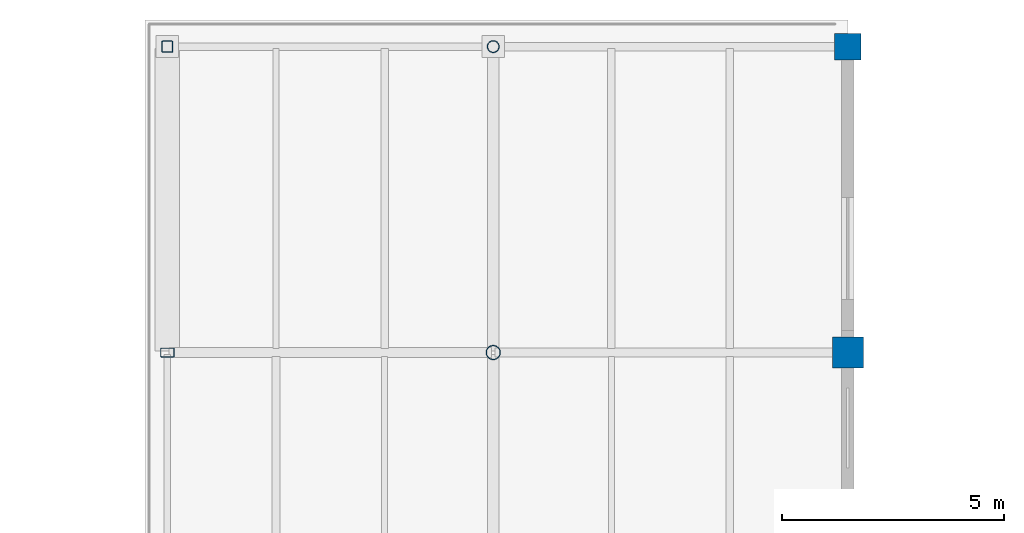
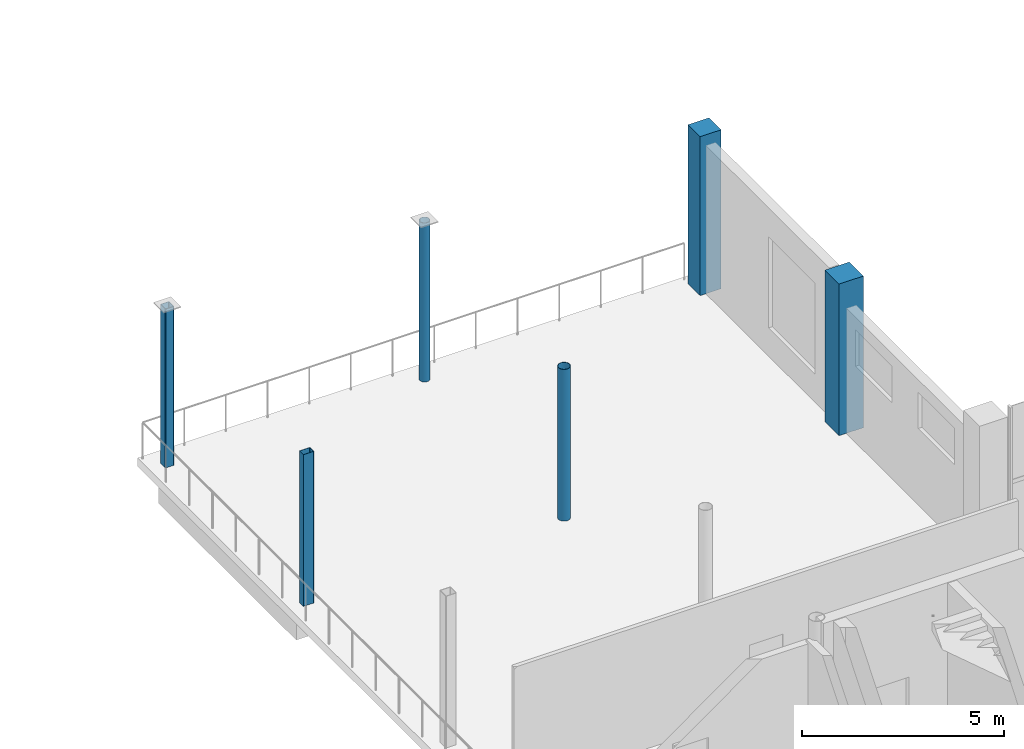
# One storey, part 11 of 51: 6 columns.
"""IFC4 building model written with IfcOpenShell, lengths in metres."""

import ifcopenshell
import ifcopenshell.guid

model = None  # the IFC model being written
_history = None  # IfcOwnerHistory: only IFC2X3 demands one
_inside = {}  # id of a spatial element -> (the spatial element, [elements in it])
_under = {}  # id of a project, library or spatial element -> (it, [spatial elements below it])
_declared = {}  # id of a project -> (the project, [libraries it declares])
_typed = {}  # id of a type object -> (the type object, [elements of that type])
_made_of = {}  # id of a material, layer set ... -> (it, [elements and type objects made of it])


def new_model(schema):
    """Start an empty IFC model of exactly this schema.

    Asked for "IFC4X3", IfcOpenShell would pick the latest addendum, in which some entities
    have other attributes; the version numbers below select the first issue.
    IFC2X3 requires an IfcOwnerHistory on every rooted entity: one is made here for all.
    """
    global model, _history
    if schema == "IFC4X3":
        model = ifcopenshell.file(schema_version=(4, 3, 0, 0))
    else:
        model = ifcopenshell.file(schema=schema)
    _inside.clear()
    _under.clear()
    _declared.clear()
    _typed.clear()
    _made_of.clear()
    _history = None
    if model.schema == "IFC2X3":
        org = make("IfcOrganization", Name="unknown")
        user = make(
            "IfcPersonAndOrganization",
            ThePerson=make("IfcPerson", FamilyName="unknown"),
            TheOrganization=org,
        )
        app = make(
            "IfcApplication",
            ApplicationDeveloper=org,
            Version="unknown",
            ApplicationFullName="unknown",
            ApplicationIdentifier="unknown",
        )
        _history = make(
            "IfcOwnerHistory",
            OwningUser=user,
            OwningApplication=app,
            ChangeAction="ADDED",
            CreationDate=0,
        )
    return model


def make(cls, **values):
    """One entity of the class cls with the attributes given. An attribute that is None is left unset."""
    return model.create_entity(
        cls, **{name: value for name, value in values.items() if value is not None}
    )


def rooted(cls, **values):
    """An entity with a GlobalId (a new one), such as an element, a storey or a relation."""
    return make(cls, GlobalId=ifcopenshell.guid.new(), OwnerHistory=_history, **values)


def si_unit(unit_type, name, prefix=None):
    """IfcSIUnit, for example si_unit("LENGTHUNIT", "METRE", prefix="MILLI")."""
    return make("IfcSIUnit", UnitType=unit_type, Prefix=prefix, Name=name)


def assignment(units):
    """IfcUnitAssignment: the units of a project."""
    return None if units is None else make("IfcUnitAssignment", Units=units)


def point(xyz):
    """IfcCartesianPoint."""
    return None if xyz is None else make("IfcCartesianPoint", Coordinates=xyz)


def direction(xyz):
    """IfcDirection."""
    return None if xyz is None else make("IfcDirection", DirectionRatios=xyz)


def frame(location, z_axis=None, x_axis=None):
    """IfcAxis2Placement3D, a coordinate frame: its origin and axes. An axis left out is left unset."""
    return make(
        "IfcAxis2Placement3D",
        Location=point(location),
        Axis=direction(z_axis),
        RefDirection=direction(x_axis),
    )


def frame_2d(location, x_axis=None):
    """IfcAxis2Placement2D, a coordinate frame in the plane: its origin and x axis."""
    return make(
        "IfcAxis2Placement2D", Location=point(location), RefDirection=direction(x_axis)
    )


def origin():
    """The frame at (0, 0, 0) with its axes left unset."""
    return frame((0.0, 0.0, 0.0))


def origin_2d():
    """The frame at (0, 0) in the plane with its x axis left unset."""
    return frame_2d((0.0, 0.0))


def place(relative_to, where):
    """IfcLocalPlacement: puts the frame where relative to a parent placement (None: the world)."""
    return make(
        "IfcLocalPlacement", PlacementRelTo=relative_to, RelativePlacement=where
    )


def context(
    kind, dimensions, precision=None, world=None, true_north=None, identifier=None
):
    """IfcGeometricRepresentationContext, for example the 3D "Model" context."""
    return make(
        "IfcGeometricRepresentationContext",
        ContextIdentifier=identifier,
        ContextType=kind,
        CoordinateSpaceDimension=dimensions,
        Precision=precision,
        WorldCoordinateSystem=world,
        TrueNorth=true_north,
    )


def subcontext(parent, identifier, kind, view, scale=None):
    """IfcGeometricRepresentationSubContext, for example "Body" below "Model"."""
    return make(
        "IfcGeometricRepresentationSubContext",
        ContextIdentifier=identifier,
        ContextType=kind,
        ParentContext=parent,
        TargetScale=scale,
        TargetView=view,
    )


def project(units=None, contexts=None):
    """IfcProject with its units and contexts."""
    return rooted(
        "IfcProject",
        Name="project",
        RepresentationContexts=contexts,
        UnitsInContext=assignment(units),
    )


def spatial(cls, under=None, at=None, **own):
    """A site, building, storey or space (cls), placed at a placement, below another one or the project."""
    s = rooted(cls, ObjectPlacement=at, **own)
    if under is not None:
        _under.setdefault(under.id(), (under, []))[1].append(s)
    return s


def profile(cls, at=None, kind="AREA", **sizes):
    """A parametric profile (cls). Its sizes go by their IFC names, for example OverallWidth=200.0."""
    return make(cls, ProfileType=kind, Position=at, **sizes)


def rectangle(**sizes):
    """IfcRectangleProfileDef."""
    return profile("IfcRectangleProfileDef", **sizes)


def hollow_rectangle(**sizes):
    """IfcRectangleHollowProfileDef."""
    return profile("IfcRectangleHollowProfileDef", **sizes)


def hollow_circle(**sizes):
    """IfcCircleHollowProfileDef."""
    return profile("IfcCircleHollowProfileDef", **sizes)


def extrude(swept, where, along, depth):
    """IfcExtrudedAreaSolid: the profile swept, set in the frame where, extruded along a direction by depth."""
    return make(
        "IfcExtrudedAreaSolid",
        SweptArea=swept,
        Position=where,
        ExtrudedDirection=direction(along),
        Depth=depth,
    )


def shape(context_of_items, identifier, shape_type, items):
    """IfcShapeRepresentation: the items that make up one representation, for example the "Body"."""
    return make(
        "IfcShapeRepresentation",
        ContextOfItems=context_of_items,
        RepresentationIdentifier=identifier,
        RepresentationType=shape_type,
        Items=items,
    )


def material(Name=None, Category=None):
    """IfcMaterial."""
    return make("IfcMaterial", Name=Name, Category=Category)


def material_profile(
    of_material, cross_section, Name=None, Category=None, Priority=None
):
    """IfcMaterialProfile: a cross section and its material."""
    return make(
        "IfcMaterialProfile",
        Name=Name,
        Material=of_material,
        Profile=cross_section,
        Priority=Priority,
        Category=Category,
    )


def profile_set(profiles, Name=None, composite=None):
    """IfcMaterialProfileSet."""
    return make(
        "IfcMaterialProfileSet",
        Name=Name,
        MaterialProfiles=profiles,
        CompositeProfile=composite,
    )


def made_of(thing, what):
    """Note that an element or type object is made of a material, layer set ...; save() writes the relation."""
    if what is not None:
        _made_of.setdefault(what.id(), (what, []))[1].append(thing)
    return thing


def type_object(cls, material=None, **own):
    """A type object (cls), such as IfcWallType, which elements share."""
    return made_of(rooted(cls, **own), material)


def element(
    cls,
    number,
    at=None,
    inside=None,
    cuts=None,
    type_object=None,
    material=None,
    context=None,
    identifier="Body",
    shape_type=None,
    held_by="IfcProductDefinitionShape",
    body=None,
    shapes=None,
    **own,
):
    """One element of the class cls, such as IfcWall. Its Tag is "e" and its number.

    at: its placement. inside: the storey or other place that contains it. cuts: it is an
    opening in that element (IfcRelVoidsElement). A single representation is given by context,
    identifier, shape_type and body (its items); several are given by shapes. held_by: the class
    of the entity that holds the representations. save() writes the other relations.
    """
    e = rooted(cls, Tag="e%d" % number, ObjectPlacement=at, **own)
    if body is not None:
        shapes = [shape(context, identifier, shape_type, body)]
    if shapes is not None:
        e.Representation = make(held_by, Representations=shapes)
    if inside is not None:
        _inside.setdefault(inside.id(), (inside, []))[1].append(e)
    if cuts is not None:
        rooted(
            "IfcRelVoidsElement", RelatingBuildingElement=cuts, RelatedOpeningElement=e
        )
    if type_object is not None:
        _typed.setdefault(type_object.id(), (type_object, []))[1].append(e)
    return made_of(e, material)


def aggregate(whole, parts):
    """IfcRelAggregates: a whole, such as a stair, and the parts it consists of."""
    return rooted("IfcRelAggregates", RelatingObject=whole, RelatedObjects=parts)


def save(model, path):
    """Write the relations noted so far, then the file.

    IfcRelAggregates (storeys below a building ...), IfcRelContainedInSpatialStructure (elements
    in a storey), IfcRelDefinesByType, IfcRelAssociatesMaterial and IfcRelDeclares: one each for
    every whole, place, type object, material and project.
    """
    for whole, parts in _under.values():
        aggregate(whole, parts)
    for where, things in _inside.values():
        rooted(
            "IfcRelContainedInSpatialStructure",
            RelatedElements=things,
            RelatingStructure=where,
        )
    for kind, things in _typed.values():
        rooted("IfcRelDefinesByType", RelatedObjects=things, RelatingType=kind)
    for what, things in _made_of.values():
        rooted("IfcRelAssociatesMaterial", RelatedObjects=things, RelatingMaterial=what)
    for by, libraries in _declared.values():
        rooted("IfcRelDeclares", RelatingContext=by, RelatedDefinitions=libraries)
    model.write(path)


model = new_model("IFC4")

# Units and contexts
model_context = context("Model", 3, precision=1e-05, world=origin(), true_north=direction((0.0, 1.0)))
body_context = subcontext(model_context, "Body", "Model", "MODEL_VIEW")
ifc_project = project(units=[si_unit("LENGTHUNIT", "METRE"), si_unit("AREAUNIT", "SQUARE_METRE"), si_unit("VOLUMEUNIT", "CUBIC_METRE"), si_unit("PLANEANGLEUNIT", "RADIAN"), si_unit("MASSUNIT", "GRAM", prefix="KILO")], contexts=[model_context])

# Site, building, storey
site_placement = place(None, origin())
site = spatial("IfcSite", under=ifc_project, at=site_placement, CompositionType="ELEMENT")
building_placement = place(site_placement, origin())
building = spatial("IfcBuilding", under=site, at=building_placement, Name="Brisemont Oceanarium", CompositionType="ELEMENT")
storey_placement = place(building_placement, frame((0.0, 0.0, 15.0)))
storey = spatial("IfcBuildingStorey", under=building, at=storey_placement, Name="L03", CompositionType="ELEMENT", Elevation=15.0)

# Columns
ifc_material_1 = material(Name="Structural Steel ASTM A500 Gr.C", Category="steel")
ifc_material_profile_1 = material_profile(ifc_material_1, hollow_circle(Radius=0.136474609375, WallThickness=0.01171875, at=origin_2d()), Name="HSS10.750X0.500")
ifc_profile_set_1 = profile_set([ifc_material_profile_1], Name="Structural Steel ASTM A500 Gr.C")
column_type_1 = type_object("IfcColumnType", Name="COL-CHS10", PredefinedType="COLUMN", material=ifc_profile_set_1)
column_1_placement = place(storey_placement, frame((120.0, 107.39990234375, 0.0), z_axis=(0.0, 0.0, 1.0), x_axis=(0.0, 1.0, 0.0)))
element("IfcColumn", 1, at=column_1_placement, inside=storey, type_object=column_type_1, Name="V6 L03 column (1,4)", PredefinedType="COLUMN", context=body_context, shape_type="SweptSolid", body=[
    extrude(hollow_circle(Radius=0.136474609375, WallThickness=0.01171875, at=origin_2d()), origin(), (0.0, 0.0, 1.0), 4.800048828125),
])
ifc_material_2 = material(Name="Structural Steel ASTM A500 Gr.C", Category="steel")
ifc_material_profile_2 = material_profile(ifc_material_2, hollow_circle(Radius=0.162109375, WallThickness=0.01171875, at=origin_2d()), Name="HSS12.750X0.500")
ifc_profile_set_2 = profile_set([ifc_material_profile_2], Name="Structural Steel ASTM A500 Gr.C")
column_type_2 = type_object("IfcColumnType", Name="COL-CHS12", PredefinedType="COLUMN", material=ifc_profile_set_2)
column_2_placement = place(storey_placement, frame((120.0, 100.5, 0.0), z_axis=(0.0, 0.0, 1.0), x_axis=(1.0, 0.0, 0.0)))
element("IfcColumn", 2, at=column_2_placement, inside=storey, type_object=column_type_2, Name="V6 L03 column (1,3)", PredefinedType="COLUMN", context=body_context, shape_type="SweptSolid", body=[
    extrude(hollow_circle(Radius=0.162109375, WallThickness=0.01171875, at=origin_2d()), origin(), (0.0, 0.0, 1.0), 4.580078125),
])
ifc_material_3 = material(Name="Structural Steel ASTM A500 Gr.C", Category="steel")
ifc_material_profile_3 = material_profile(ifc_material_3, hollow_rectangle(XDim=0.25390625, YDim=0.25390625, WallThickness=0.01171875, InnerFilletRadius=0.01220703125, OuterFilletRadius=0.02392578125, at=origin_2d()), Name="HSS10X10X1/2")
ifc_profile_set_3 = profile_set([ifc_material_profile_3], Name="Structural Steel ASTM A500 Gr.C")
column_type_3 = type_object("IfcColumnType", Name="COL-HSS10X10", PredefinedType="COLUMN", material=ifc_profile_set_3)
column_3_placement = place(storey_placement, frame((112.64990234375, 107.39990234375, 0.0), z_axis=(0.0, 0.0, 1.0), x_axis=(1.0, 0.0, 0.0)))
element("IfcColumn", 3, at=column_3_placement, inside=storey, type_object=column_type_3, Name="V6 L03 column (0,4)", PredefinedType="COLUMN", context=body_context, shape_type="SweptSolid", body=[
    extrude(hollow_rectangle(XDim=0.25390625, YDim=0.25390625, WallThickness=0.01171875, InnerFilletRadius=0.01220703125, OuterFilletRadius=0.02392578125, at=origin_2d()), origin(), (0.0, 0.0, 1.0), 4.800048828125),
])
ifc_material_4 = material(Name="Structural Steel ASTM A500 Gr.C", Category="steel")
ifc_material_profile_4 = material_profile(ifc_material_4, hollow_rectangle(XDim=0.202880859375, YDim=0.304931640625, WallThickness=0.0087890625, InnerFilletRadius=0.009033203125, OuterFilletRadius=0.01806640625, at=origin_2d()), Name="HSS12X8X3/8")
ifc_profile_set_4 = profile_set([ifc_material_profile_4], Name="Structural Steel ASTM A500 Gr.C")
column_type_4 = type_object("IfcColumnType", Name="COL-HSS12X8", PredefinedType="COLUMN", material=ifc_profile_set_4)
column_4_placement = place(storey_placement, frame((112.64990234375, 100.5, 0.0), z_axis=(0.0, 0.0, 1.0), x_axis=(0.0, 1.0, 0.0)))
element("IfcColumn", 4, at=column_4_placement, inside=storey, type_object=column_type_4, Name="V6 L03 column (0,3)", PredefinedType="COLUMN", context=body_context, shape_type="SweptSolid", body=[
    extrude(hollow_rectangle(XDim=0.202880859375, YDim=0.304931640625, WallThickness=0.0087890625, InnerFilletRadius=0.009033203125, OuterFilletRadius=0.01806640625, at=origin_2d()), origin(), (0.0, 0.0, 1.0), 4.580078125),
])
ifc_material_5 = material(Name="Concrete C35/45", Category="concrete")
ifc_material_profile_5 = material_profile(ifc_material_5, rectangle(XDim=0.60009765625, YDim=0.60009765625, at=origin_2d()), Name="RC-COL-600X600")
ifc_profile_set_5 = profile_set([ifc_material_profile_5], Name="Concrete C35/45")
column_type_5 = type_object("IfcColumnType", Name="COL-RC600", PredefinedType="COLUMN", material=ifc_profile_set_5)
column_5_placement = place(storey_placement, frame((128.0, 107.39990234375, 0.0), z_axis=(0.0, 0.0, 1.0), x_axis=(1.0, 0.0, 0.0)))
element("IfcColumn", 5, at=column_5_placement, inside=storey, type_object=column_type_5, Name="V6 L03 column (2,4)", PredefinedType="COLUMN", context=body_context, shape_type="SweptSolid", body=[
    extrude(rectangle(XDim=0.60009765625, YDim=0.60009765625, at=origin_2d()), origin(), (0.0, 0.0, 1.0), 4.800048828125),
])
ifc_material_6 = material(Name="Concrete C35/45", Category="concrete")
ifc_material_profile_6 = material_profile(ifc_material_6, rectangle(XDim=0.699951171875, YDim=0.699951171875, at=origin_2d()), Name="RC-COL-700X700")
ifc_profile_set_6 = profile_set([ifc_material_profile_6], Name="Concrete C35/45")
column_type_6 = type_object("IfcColumnType", Name="COL-RC700", PredefinedType="COLUMN", material=ifc_profile_set_6)
column_6_placement = place(storey_placement, frame((128.0, 100.5, 0.0), z_axis=(0.0, 0.0, 1.0), x_axis=(0.0, 1.0, 0.0)))
element("IfcColumn", 6, at=column_6_placement, inside=storey, type_object=column_type_6, Name="V6 L03 column (2,3)", PredefinedType="COLUMN", context=body_context, shape_type="SweptSolid", body=[
    extrude(rectangle(XDim=0.699951171875, YDim=0.699951171875, at=origin_2d()), origin(), (0.0, 0.0, 1.0), 4.580078125),
])

save(model, "model.ifc")
